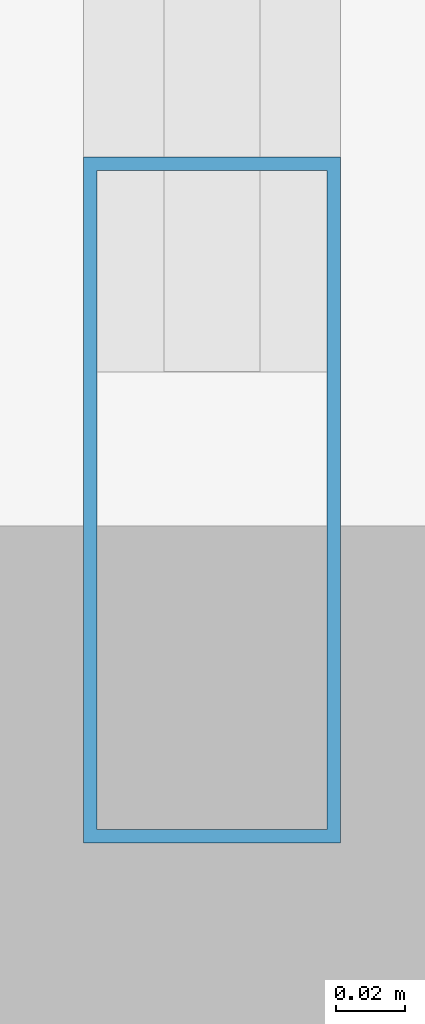
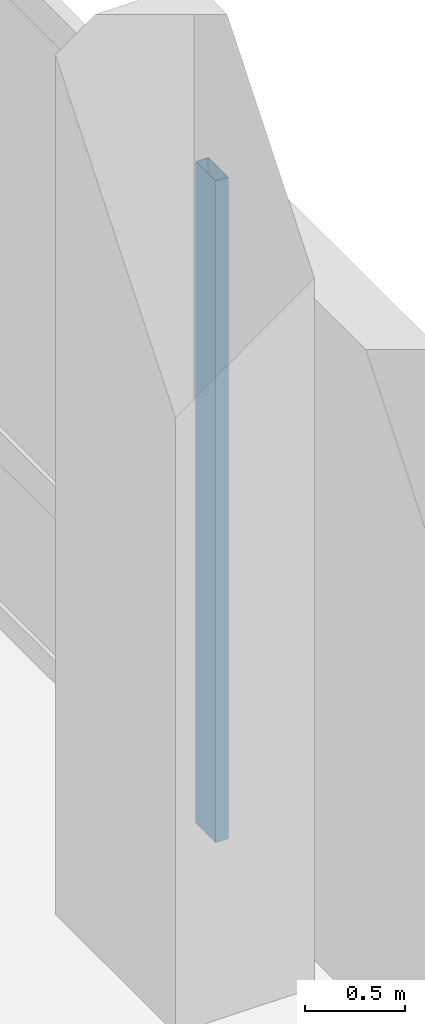
# One storey, part 16 of 31: 1 member, 1 element without a shape of its own.
"""IFC4 building model written with IfcOpenShell, lengths in metres."""

from ifc_helpers import new_model, si_unit, direction, frame, origin, origin_2d, place, context, subcontext, project, spatial, hollow_rectangle, extrude, material, layer, layer_set, material_profile, profile_set, type_object, element, aggregate, save


model = new_model("IFC4")

# Units and contexts
model_context = context("Model", 3, precision=1e-05, world=origin(), true_north=direction((0.0, 1.0)))
body_context = subcontext(model_context, "Body", "Model", "MODEL_VIEW")
ifc_project = project(units=[si_unit("LENGTHUNIT", "METRE"), si_unit("AREAUNIT", "SQUARE_METRE"), si_unit("VOLUMEUNIT", "CUBIC_METRE"), si_unit("PLANEANGLEUNIT", "RADIAN"), si_unit("MASSUNIT", "GRAM", prefix="KILO")], contexts=[model_context])

# Site, building, storey
site_placement = place(None, origin())
site = spatial("IfcSite", under=ifc_project, at=site_placement, CompositionType="ELEMENT")
building_placement = place(site_placement, origin())
building = spatial("IfcBuilding", under=site, at=building_placement, Name="Varnelok Gate Tower", CompositionType="ELEMENT")
storey_placement = place(building_placement, frame((0.0, 0.0, 16.199951171875)))
storey = spatial("IfcBuildingStorey", under=building, at=storey_placement, Name="L03", CompositionType="ELEMENT", Elevation=16.199951171875)

# Curtain wall, member
ifc_material = material(Name="Anodized Aluminum Alloy 6063-T6", Category="aluminium")
ifc_layer = layer(ifc_material, 0.179931640625)
ifc_layer_set = layer_set([ifc_layer], Name="Anodized Aluminum Alloy 6063-T6")
curtain_wall_type = type_object("IfcCurtainWallType", Name="CW1-ARCH-PORTAL", PredefinedType="USERDEFINED", material=ifc_layer_set)
curtain_wall_placement = place(storey_placement, origin())
curtain_wall = element("IfcCurtainWall", 1, at=curtain_wall_placement, inside=storey, type_object=curtain_wall_type, Name="L03 Podium Portal Curtain Wall E", ObjectType="UNITISED CURTAIN WALL", PredefinedType="USERDEFINED")
ifc_material_profile = material_profile(ifc_material, hollow_rectangle(XDim=0.074951171875, YDim=0.199951171875, WallThickness=0.00390625, at=origin_2d()), Name="ALU200X75X4")
ifc_profile_set = profile_set([ifc_material_profile], Name="Anodized Aluminum Alloy 6063-T6")
member_type = type_object("IfcMemberType", Name="CW-MULL-200", PredefinedType="MULLION", material=ifc_profile_set)
member_placement = place(storey_placement, frame((78.239990234375, 15.237548828125, 0.0), z_axis=(0.0, 0.0, 1.0), x_axis=(1.0, 0.0, 0.0)))
member = element("IfcMember", 2, at=member_placement, type_object=member_type, Name="CW1 mullion 5", PredefinedType="MULLION", context=body_context, shape_type="SweptSolid", body=[
    extrude(hollow_rectangle(XDim=0.074951171875, YDim=0.199951171875, WallThickness=0.00390625, at=origin_2d()), origin(), (0.0, 0.0, 1.0), 4.030029296875),
])
aggregate(curtain_wall, [member])

save(model, "model.ifc")
